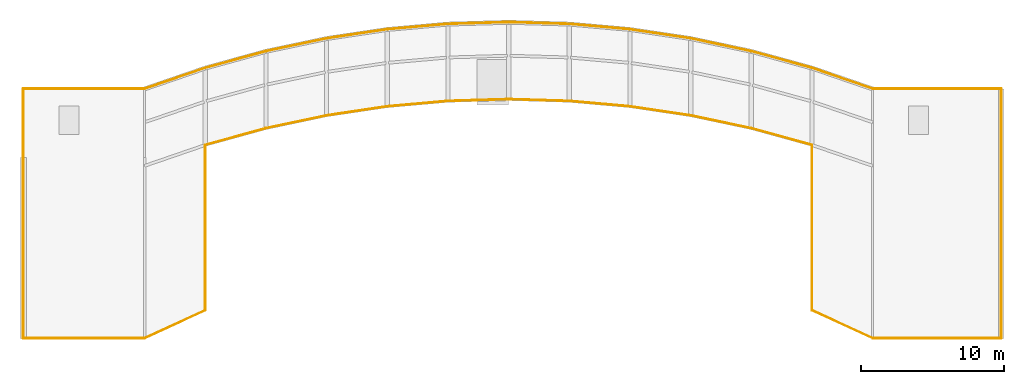
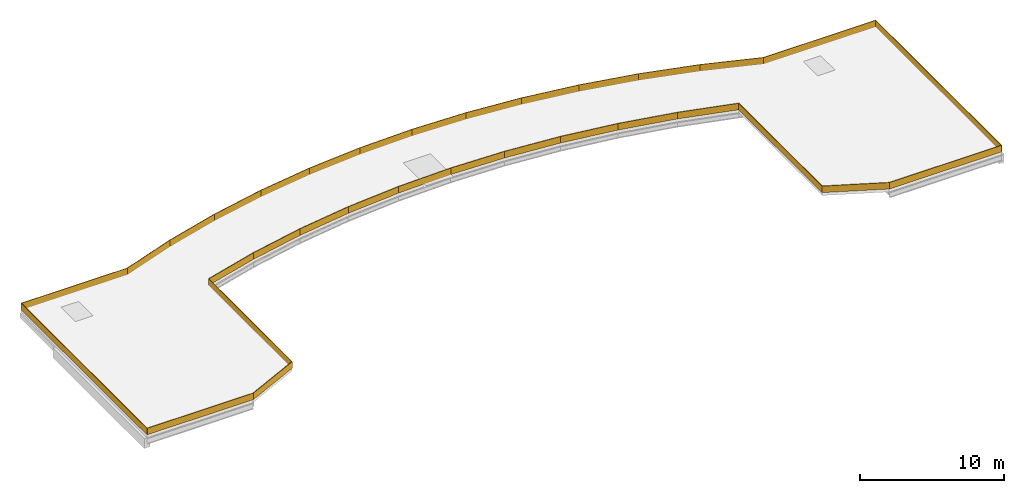
# One storey, part 3 of 3: 32 coverings.
"""IFC4 building model written with IfcOpenShell, lengths in metres."""

from ifc_helpers import new_model, si_unit, direction, frame, origin, origin_2d, place, context, subcontext, project, spatial, rectangle, extrude, material, layer, layer_set, type_object, element, save


model = new_model("IFC4")

# Units and contexts
model_context = context("Model", 3, precision=1e-05, world=origin(), true_north=direction((0.0, 1.0)))
body_context = subcontext(model_context, "Body", "Model", "MODEL_VIEW")
ifc_project = project(units=[si_unit("LENGTHUNIT", "METRE"), si_unit("AREAUNIT", "SQUARE_METRE"), si_unit("VOLUMEUNIT", "CUBIC_METRE"), si_unit("PLANEANGLEUNIT", "RADIAN"), si_unit("MASSUNIT", "GRAM", prefix="KILO")], contexts=[model_context])

# Site, building, storey
site_placement = place(None, origin())
site = spatial("IfcSite", under=ifc_project, at=site_placement, CompositionType="ELEMENT")
building_placement = place(site_placement, origin())
building = spatial("IfcBuilding", under=site, at=building_placement, Name="Solvikara Media Centre", CompositionType="ELEMENT")
storey_placement = place(building_placement, frame((0.0, 0.0, 34.199951171875)))
storey = spatial("IfcBuildingStorey", under=building, at=storey_placement, Name="RF", CompositionType="ELEMENT", Elevation=34.199951171875)

# Coverings
ifc_material = material(Name="GFRC white mineral architectural rainscreen panel")
ifc_layer = layer(ifc_material, 0.050048828125)
ifc_layer_set = layer_set([ifc_layer], Name="GFRC white mineral architectural rainscreen panel")
covering_type = type_object("IfcCoveringType", Name="CV-04", PredefinedType="CLADDING", material=ifc_layer_set)
covering_1_placement = place(storey_placement, frame((72.25, 19.323974609375, -0.0498046875), z_axis=(0.0, 0.0, 1.0), x_axis=(1.0, 0.0, 0.0)))
element("IfcCovering", 1, at=covering_1_placement, inside=storey, type_object=covering_type, Name="FAS-RF-00", PredefinedType="CLADDING", context=body_context, shape_type="SweptSolid", body=[
    extrude(rectangle(XDim=8.5, YDim=0.050048828125, at=origin_2d()), origin(), (0.0, 0.0, 1.0), 0.550048828125),
])
covering_2_placement = place(storey_placement, frame((78.625, 20.302001953125, -0.0498046875), z_axis=(0.0, 0.0, 1.0), x_axis=(0.908493590661, 0.417898786464, 0.0)))
element("IfcCovering", 2, at=covering_2_placement, inside=storey, type_object=covering_type, Name="FAS-RF-01", PredefinedType="CLADDING", context=body_context, shape_type="SweptSolid", body=[
    extrude(rectangle(XDim=4.677978515625, YDim=0.050048828125, at=origin_2d()), origin(), (0.0, 0.0, 1.0), 0.550048828125),
])
covering_3_placement = place(storey_placement, frame((80.75, 27.069091796875, -0.0498046875), z_axis=(0.0, 0.0, 1.0), x_axis=(0.0, 1.0, 0.0)))
element("IfcCovering", 3, at=covering_3_placement, inside=storey, type_object=covering_type, Name="FAS-RF-02", PredefinedType="CLADDING", context=body_context, shape_type="SweptSolid", body=[
    extrude(rectangle(XDim=11.5810546875, YDim=0.050048828125, at=origin_2d()), origin(), (0.0, 0.0, 1.0), 0.550048828125),
])
covering_4_placement = place(storey_placement, frame((82.875, 33.445068359375, -0.0498046875), z_axis=(0.0, 0.0, 1.0), x_axis=(0.96407686257, 0.265623423396, 0.0)))
element("IfcCovering", 4, at=covering_4_placement, inside=storey, type_object=covering_type, Name="FAS-RF-03", PredefinedType="CLADDING", context=body_context, shape_type="SweptSolid", body=[
    extrude(rectangle(XDim=4.407958984375, YDim=0.050048828125, at=origin_2d()), origin(), (0.0, 0.0, 1.0), 0.550048828125),
])
covering_5_placement = place(storey_placement, frame((87.125, 34.47998046875, -0.0498046875), z_axis=(0.0, 0.0, 1.0), x_axis=(0.978397274683, 0.206733579499, 0.0)))
element("IfcCovering", 5, at=covering_5_placement, inside=storey, type_object=covering_type, Name="FAS-RF-04", PredefinedType="CLADDING", context=body_context, shape_type="SweptSolid", body=[
    extrude(rectangle(XDim=4.343994140625, YDim=0.050048828125, at=origin_2d()), origin(), (0.0, 0.0, 1.0), 0.550048828125),
])
covering_6_placement = place(storey_placement, frame((91.375, 35.24609375, -0.0498046875), z_axis=(0.0, 0.0, 1.0), x_axis=(0.989021022281, 0.147774887873, 0.0)))
element("IfcCovering", 6, at=covering_6_placement, inside=storey, type_object=covering_type, Name="FAS-RF-05", PredefinedType="CLADDING", context=body_context, shape_type="SweptSolid", body=[
    extrude(rectangle(XDim=4.297119140625, YDim=0.050048828125, at=origin_2d()), origin(), (0.0, 0.0, 1.0), 0.550048828125),
])
covering_7_placement = place(storey_placement, frame((95.625, 35.751953125, -0.0498046875), z_axis=(0.0, 0.0, 1.0), x_axis=(0.996089016062, 0.088355373803, 0.0)))
element("IfcCovering", 7, at=covering_7_placement, inside=storey, type_object=covering_type, Name="FAS-RF-06", PredefinedType="CLADDING", context=body_context, shape_type="SweptSolid", body=[
    extrude(rectangle(XDim=4.26708984375, YDim=0.050048828125, at=origin_2d()), origin(), (0.0, 0.0, 1.0), 0.550048828125),
])
for number, where, z_axis, x_axis, name in (
    (8, (99.875, 36.00390625, -0.0498046875), (0.0, 0.0, 1.0), (0.999560895058, 0.029631352846, 0.0), "FAS-RF-07"),
    (9, (104.125, 36.00390625, -0.0498046875), (0.0, 0.0, 1.0), (0.999560895058, -0.029631352846, 0.0), "FAS-RF-08"),
):
    element("IfcCovering", number, at=place(storey_placement, frame(where, z_axis=z_axis, x_axis=x_axis)), inside=storey, type_object=covering_type, Name=name, PredefinedType="CLADDING", context=body_context, shape_type="SweptSolid", body=[
        extrude(rectangle(XDim=4.251953125, YDim=0.050048828125, at=origin_2d()), origin(), (0.0, 0.0, 1.0), 0.550048828125),
    ])
covering_8_placement = place(storey_placement, frame((108.375, 35.751953125, -0.0498046875), z_axis=(0.0, 0.0, 1.0), x_axis=(0.996089016062, -0.088355373803, 0.0)))
element("IfcCovering", 10, at=covering_8_placement, inside=storey, type_object=covering_type, Name="FAS-RF-09", PredefinedType="CLADDING", context=body_context, shape_type="SweptSolid", body=[
    extrude(rectangle(XDim=4.26708984375, YDim=0.050048828125, at=origin_2d()), origin(), (0.0, 0.0, 1.0), 0.550048828125),
])
covering_9_placement = place(storey_placement, frame((112.625, 35.24609375, -0.0498046875), z_axis=(0.0, 0.0, 1.0), x_axis=(0.989021022281, -0.147774887873, 0.0)))
element("IfcCovering", 11, at=covering_9_placement, inside=storey, type_object=covering_type, Name="FAS-RF-10", PredefinedType="CLADDING", context=body_context, shape_type="SweptSolid", body=[
    extrude(rectangle(XDim=4.297119140625, YDim=0.050048828125, at=origin_2d()), origin(), (0.0, 0.0, 1.0), 0.550048828125),
])
covering_10_placement = place(storey_placement, frame((116.875, 34.47998046875, -0.0498046875), z_axis=(0.0, 0.0, 1.0), x_axis=(0.978397274683, -0.206733579499, 0.0)))
element("IfcCovering", 12, at=covering_10_placement, inside=storey, type_object=covering_type, Name="FAS-RF-11", PredefinedType="CLADDING", context=body_context, shape_type="SweptSolid", body=[
    extrude(rectangle(XDim=4.343994140625, YDim=0.050048828125, at=origin_2d()), origin(), (0.0, 0.0, 1.0), 0.550048828125),
])
covering_11_placement = place(storey_placement, frame((121.125, 33.445068359375, -0.0498046875), z_axis=(0.0, 0.0, 1.0), x_axis=(0.96407686257, -0.265623423396, 0.0)))
element("IfcCovering", 13, at=covering_11_placement, inside=storey, type_object=covering_type, Name="FAS-RF-12", PredefinedType="CLADDING", context=body_context, shape_type="SweptSolid", body=[
    extrude(rectangle(XDim=4.407958984375, YDim=0.050048828125, at=origin_2d()), origin(), (0.0, 0.0, 1.0), 0.550048828125),
])
covering_12_placement = place(storey_placement, frame((123.25, 27.069091796875, -0.0498046875), z_axis=(0.0, 0.0, 1.0), x_axis=(0.0, -1.0, 0.0)))
element("IfcCovering", 14, at=covering_12_placement, inside=storey, type_object=covering_type, Name="FAS-RF-13", PredefinedType="CLADDING", context=body_context, shape_type="SweptSolid", body=[
    extrude(rectangle(XDim=11.5810546875, YDim=0.050048828125, at=origin_2d()), origin(), (0.0, 0.0, 1.0), 0.550048828125),
])
covering_13_placement = place(storey_placement, frame((125.375, 20.302001953125, -0.0498046875), z_axis=(0.0, 0.0, 1.0), x_axis=(0.908493590661, -0.417898786464, 0.0)))
element("IfcCovering", 15, at=covering_13_placement, inside=storey, type_object=covering_type, Name="FAS-RF-14", PredefinedType="CLADDING", context=body_context, shape_type="SweptSolid", body=[
    extrude(rectangle(XDim=4.677978515625, YDim=0.050048828125, at=origin_2d()), origin(), (0.0, 0.0, 1.0), 0.550048828125),
])
covering_14_placement = place(storey_placement, frame((132.0, 19.323974609375, -0.0498046875), z_axis=(0.0, 0.0, 1.0), x_axis=(1.0, 0.0, 0.0)))
element("IfcCovering", 16, at=covering_14_placement, inside=storey, type_object=covering_type, Name="FAS-RF-15", PredefinedType="CLADDING", context=body_context, shape_type="SweptSolid", body=[
    extrude(rectangle(XDim=9.0, YDim=0.050048828125, at=origin_2d()), origin(), (0.0, 0.0, 1.0), 0.550048828125),
])
covering_15_placement = place(storey_placement, frame((136.5, 28.06201171875, -0.0498046875), z_axis=(0.0, 0.0, 1.0), x_axis=(0.0, 1.0, 0.0)))
element("IfcCovering", 17, at=covering_15_placement, inside=storey, type_object=covering_type, Name="FAS-RF-16", PredefinedType="CLADDING", context=body_context, shape_type="SweptSolid", body=[
    extrude(rectangle(XDim=17.47607421875, YDim=0.050048828125, at=origin_2d()), origin(), (0.0, 0.0, 1.0), 0.550048828125),
])
covering_16_placement = place(storey_placement, frame((132.0, 36.800048828125, -0.0498046875), z_axis=(0.0, 0.0, 1.0), x_axis=(-1.0, 0.0, 0.0)))
element("IfcCovering", 18, at=covering_16_placement, inside=storey, type_object=covering_type, Name="FAS-RF-17", PredefinedType="CLADDING", context=body_context, shape_type="SweptSolid", body=[
    extrude(rectangle(XDim=9.0, YDim=0.050048828125, at=origin_2d()), origin(), (0.0, 0.0, 1.0), 0.550048828125),
])
covering_17_placement = place(storey_placement, frame((125.375, 37.530029296875, -0.0498046875), z_axis=(0.0, 0.0, 1.0), x_axis=(-0.945751305183, 0.324891472256, 0.0)))
element("IfcCovering", 19, at=covering_17_placement, inside=storey, type_object=covering_type, Name="FAS-RF-18", PredefinedType="CLADDING", context=body_context, shape_type="SweptSolid", body=[
    extrude(rectangle(XDim=4.493896484375, YDim=0.050048828125, at=origin_2d()), origin(), (0.0, 0.0, 1.0), 0.550048828125),
])
covering_18_placement = place(storey_placement, frame((121.125, 38.845947265625, -0.0498046875), z_axis=(0.0, 0.0, 1.0), x_axis=(-0.96407686257, 0.265623423396, 0.0)))
element("IfcCovering", 20, at=covering_18_placement, inside=storey, type_object=covering_type, Name="FAS-RF-19", PredefinedType="CLADDING", context=body_context, shape_type="SweptSolid", body=[
    extrude(rectangle(XDim=4.407958984375, YDim=0.050048828125, at=origin_2d()), origin(), (0.0, 0.0, 1.0), 0.550048828125),
])
covering_19_placement = place(storey_placement, frame((116.875, 39.8798828125, -0.0498046875), z_axis=(0.0, 0.0, 1.0), x_axis=(-0.978397274683, 0.206733579499, 0.0)))
element("IfcCovering", 21, at=covering_19_placement, inside=storey, type_object=covering_type, Name="FAS-RF-20", PredefinedType="CLADDING", context=body_context, shape_type="SweptSolid", body=[
    extrude(rectangle(XDim=4.343994140625, YDim=0.050048828125, at=origin_2d()), origin(), (0.0, 0.0, 1.0), 0.550048828125),
])
covering_20_placement = place(storey_placement, frame((112.625, 40.64697265625, -0.0498046875), z_axis=(0.0, 0.0, 1.0), x_axis=(-0.989021022281, 0.147774887873, 0.0)))
element("IfcCovering", 22, at=covering_20_placement, inside=storey, type_object=covering_type, Name="FAS-RF-21", PredefinedType="CLADDING", context=body_context, shape_type="SweptSolid", body=[
    extrude(rectangle(XDim=4.297119140625, YDim=0.050048828125, at=origin_2d()), origin(), (0.0, 0.0, 1.0), 0.550048828125),
])
covering_21_placement = place(storey_placement, frame((108.375, 41.153076171875, -0.0498046875), z_axis=(0.0, 0.0, 1.0), x_axis=(-0.996089016062, 0.088355373803, 0.0)))
element("IfcCovering", 23, at=covering_21_placement, inside=storey, type_object=covering_type, Name="FAS-RF-22", PredefinedType="CLADDING", context=body_context, shape_type="SweptSolid", body=[
    extrude(rectangle(XDim=4.26708984375, YDim=0.050048828125, at=origin_2d()), origin(), (0.0, 0.0, 1.0), 0.550048828125),
])
for number, where, z_axis, x_axis, name in (
    (24, (104.125, 41.404052734375, -0.0498046875), (0.0, 0.0, 1.0), (-0.999560895058, 0.029631352846, 0.0), "FAS-RF-23"),
    (25, (99.875, 41.404052734375, -0.0498046875), (0.0, 0.0, 1.0), (-0.999560895058, -0.029631352846, 0.0), "FAS-RF-24"),
):
    element("IfcCovering", number, at=place(storey_placement, frame(where, z_axis=z_axis, x_axis=x_axis)), inside=storey, type_object=covering_type, Name=name, PredefinedType="CLADDING", context=body_context, shape_type="SweptSolid", body=[
        extrude(rectangle(XDim=4.251953125, YDim=0.050048828125, at=origin_2d()), origin(), (0.0, 0.0, 1.0), 0.550048828125),
    ])
covering_22_placement = place(storey_placement, frame((95.625, 41.153076171875, -0.0498046875), z_axis=(0.0, 0.0, 1.0), x_axis=(-0.996089016062, -0.088355373803, 0.0)))
element("IfcCovering", 26, at=covering_22_placement, inside=storey, type_object=covering_type, Name="FAS-RF-25", PredefinedType="CLADDING", context=body_context, shape_type="SweptSolid", body=[
    extrude(rectangle(XDim=4.26708984375, YDim=0.050048828125, at=origin_2d()), origin(), (0.0, 0.0, 1.0), 0.550048828125),
])
covering_23_placement = place(storey_placement, frame((91.375, 40.64697265625, -0.0498046875), z_axis=(0.0, 0.0, 1.0), x_axis=(-0.989021022281, -0.147774887873, 0.0)))
element("IfcCovering", 27, at=covering_23_placement, inside=storey, type_object=covering_type, Name="FAS-RF-26", PredefinedType="CLADDING", context=body_context, shape_type="SweptSolid", body=[
    extrude(rectangle(XDim=4.297119140625, YDim=0.050048828125, at=origin_2d()), origin(), (0.0, 0.0, 1.0), 0.550048828125),
])
covering_24_placement = place(storey_placement, frame((87.125, 39.8798828125, -0.0498046875), z_axis=(0.0, 0.0, 1.0), x_axis=(-0.978397274683, -0.206733579499, 0.0)))
element("IfcCovering", 28, at=covering_24_placement, inside=storey, type_object=covering_type, Name="FAS-RF-27", PredefinedType="CLADDING", context=body_context, shape_type="SweptSolid", body=[
    extrude(rectangle(XDim=4.343994140625, YDim=0.050048828125, at=origin_2d()), origin(), (0.0, 0.0, 1.0), 0.550048828125),
])
covering_25_placement = place(storey_placement, frame((82.875, 38.845947265625, -0.0498046875), z_axis=(0.0, 0.0, 1.0), x_axis=(-0.96407686257, -0.265623423396, 0.0)))
element("IfcCovering", 29, at=covering_25_placement, inside=storey, type_object=covering_type, Name="FAS-RF-28", PredefinedType="CLADDING", context=body_context, shape_type="SweptSolid", body=[
    extrude(rectangle(XDim=4.407958984375, YDim=0.050048828125, at=origin_2d()), origin(), (0.0, 0.0, 1.0), 0.550048828125),
])
covering_26_placement = place(storey_placement, frame((78.625, 37.530029296875, -0.0498046875), z_axis=(0.0, 0.0, 1.0), x_axis=(-0.945751305183, -0.324891472256, 0.0)))
element("IfcCovering", 30, at=covering_26_placement, inside=storey, type_object=covering_type, Name="FAS-RF-29", PredefinedType="CLADDING", context=body_context, shape_type="SweptSolid", body=[
    extrude(rectangle(XDim=4.493896484375, YDim=0.050048828125, at=origin_2d()), origin(), (0.0, 0.0, 1.0), 0.550048828125),
])
covering_27_placement = place(storey_placement, frame((72.25, 36.800048828125, -0.0498046875), z_axis=(0.0, 0.0, 1.0), x_axis=(-1.0, 0.0, 0.0)))
element("IfcCovering", 31, at=covering_27_placement, inside=storey, type_object=covering_type, Name="FAS-RF-30", PredefinedType="CLADDING", context=body_context, shape_type="SweptSolid", body=[
    extrude(rectangle(XDim=8.5, YDim=0.050048828125, at=origin_2d()), origin(), (0.0, 0.0, 1.0), 0.550048828125),
])
covering_28_placement = place(storey_placement, frame((68.0, 28.06201171875, -0.0498046875), z_axis=(0.0, 0.0, 1.0), x_axis=(0.0, -1.0, 0.0)))
element("IfcCovering", 32, at=covering_28_placement, inside=storey, type_object=covering_type, Name="FAS-RF-31", PredefinedType="CLADDING", context=body_context, shape_type="SweptSolid", body=[
    extrude(rectangle(XDim=17.47607421875, YDim=0.050048828125, at=origin_2d()), origin(), (0.0, 0.0, 1.0), 0.550048828125),
])

save(model, "model.ifc")
